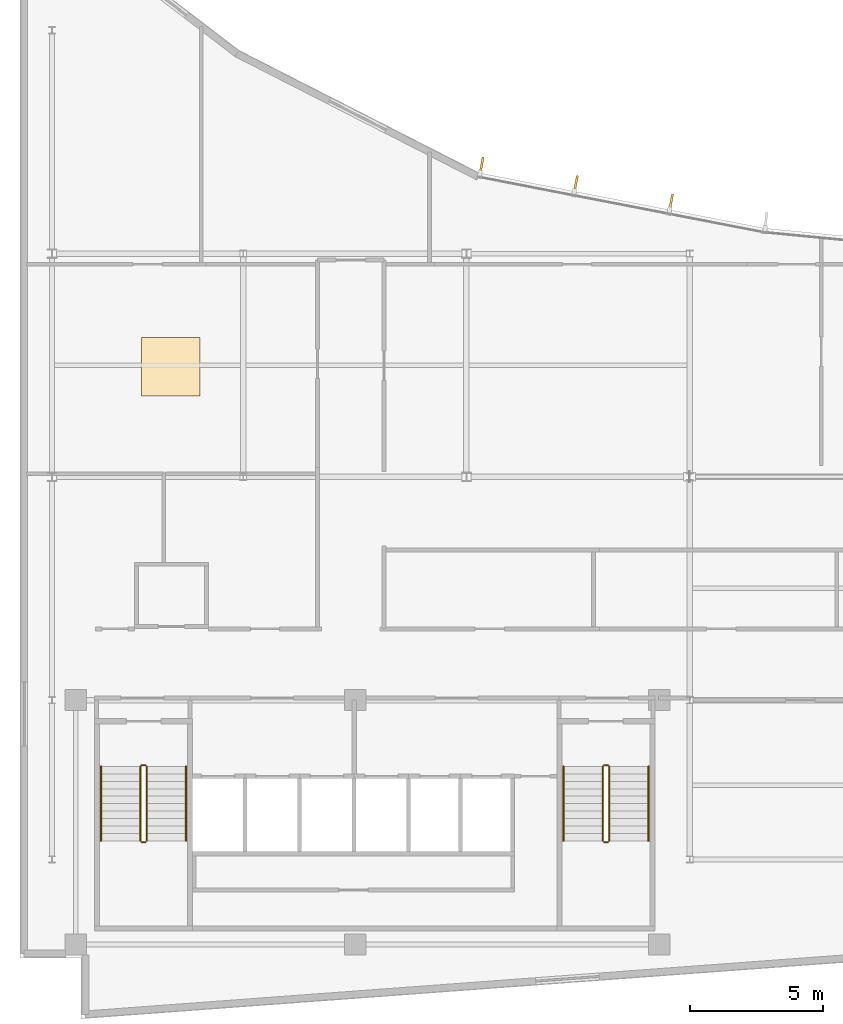
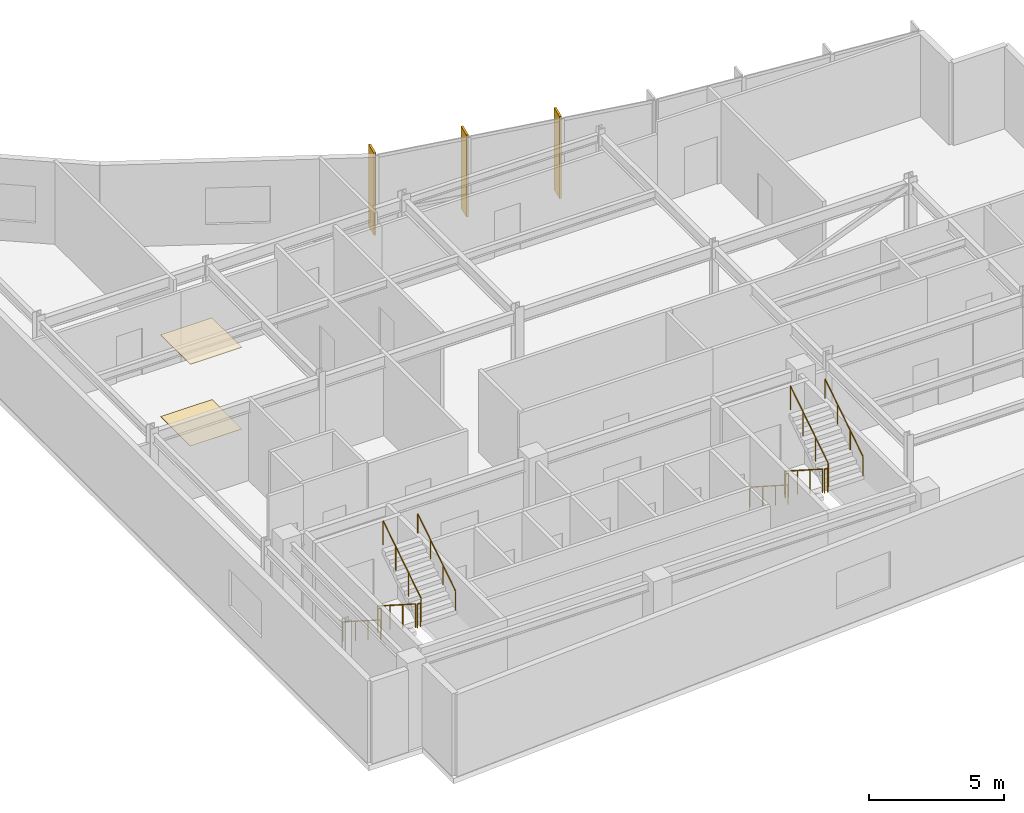
# One storey, part 14 of 16: 12 railings, 3 shading devices, 2 coverings.
"""IFC4 building model written with IfcOpenShell, lengths in metres."""

from ifc_helpers import new_model, si_unit, direction, frame, origin, origin_2d, place, context, subcontext, project, spatial, rectangle, circle, extrude, material, layer, layer_set, type_object, element, save


model = new_model("IFC4")

# Units and contexts
model_context = context("Model", 3, precision=1e-05, world=origin(), true_north=direction((0.0, 1.0)))
body_context = subcontext(model_context, "Body", "Model", "MODEL_VIEW")
ifc_project = project(units=[si_unit("LENGTHUNIT", "METRE"), si_unit("AREAUNIT", "SQUARE_METRE"), si_unit("VOLUMEUNIT", "CUBIC_METRE"), si_unit("PLANEANGLEUNIT", "RADIAN"), si_unit("MASSUNIT", "GRAM", prefix="KILO")], contexts=[model_context])

# Site, building, storey
site_placement = place(None, origin())
site = spatial("IfcSite", under=ifc_project, at=site_placement, CompositionType="ELEMENT")
building_placement = place(site_placement, origin())
building = spatial("IfcBuilding", under=site, at=building_placement, Name="Varnakote Quay Hospital", CompositionType="ELEMENT")
storey_placement = place(building_placement, frame((0.0, 0.0, 272.35009765625)))
storey = spatial("IfcBuildingStorey", under=building, at=storey_placement, Name="L67", CompositionType="ELEMENT", Elevation=272.35009765625)

# Coverings
ifc_material_1 = material(Name="Antimicrobial acoustic mineral ceiling tile", Category="gypsum")
ifc_layer_1 = layer(ifc_material_1, 0.02490234375)
ifc_layer_set_1 = layer_set([ifc_layer_1], Name="Antimicrobial acoustic mineral ceiling tile")
covering_type_1 = type_object("IfcCoveringType", Name="COV-CLIN-CEIL-25", PredefinedType="CEILING", material=ifc_layer_set_1)
covering_1_placement = place(storey_placement, frame((5.679931640625, 24.5400390625, 3.68505859375), z_axis=(0.0, 0.0, 1.0), x_axis=(1.0, 0.0, 0.0)))
element("IfcCovering", 1, at=covering_1_placement, inside=storey, type_object=covering_type_1, Name="L67 Antimicrobial Acoustic Ceiling Tile", PredefinedType="CEILING", context=body_context, shape_type="SweptSolid", body=[
    extrude(rectangle(XDim=2.199951171875, YDim=2.199951171875, at=origin_2d()), origin(), (0.0, 0.0, 1.0), 0.02490234375),
])
ifc_material_2 = material(Name="Seamless clinical sheet vinyl flooring")
ifc_layer_2 = layer(ifc_material_2, 0.011962890625)
ifc_layer_set_2 = layer_set([ifc_layer_2], Name="Seamless clinical sheet vinyl flooring")
covering_type_2 = type_object("IfcCoveringType", Name="COV-CLIN-VINYL-12", PredefinedType="FLOORING", material=ifc_layer_set_2)
covering_2_placement = place(storey_placement, frame((5.679931640625, 24.5400390625, 0.0), z_axis=(0.0, 0.0, 1.0), x_axis=(1.0, 0.0, 0.0)))
element("IfcCovering", 2, at=covering_2_placement, inside=storey, type_object=covering_type_2, Name="L67 Seamless Clinical Vinyl Flooring", PredefinedType="FLOORING", context=body_context, shape_type="SweptSolid", body=[
    extrude(rectangle(XDim=2.199951171875, YDim=2.199951171875, at=origin_2d()), origin(), (0.0, 0.0, 1.0), 0.011962890625),
])

# Railings
ifc_material_3 = material(Name="Brushed stainless steel balustrade", Category="steel")
railing_type_1 = type_object("IfcRailingType", Name="RLG-STAIR-GUARD-1150", PredefinedType="GUARDRAIL", material=ifc_material_3)
railing_1_placement = place(storey_placement, frame((4.530029296875, 9.5, 0.179443359375)))
element("IfcRailing", 3, at=railing_1_placement, inside=storey, type_object=railing_type_1, Name="L67 ST-01 stair guard 1", PredefinedType="GUARDRAIL", context=body_context, shape_type="SweptSolid", body=[
    extrude(circle(Radius=0.02392578125, at=origin_2d()), frame((0.0, 0.0, 1.076171875), z_axis=(0.0, -0.841809871826, 0.539774156196), x_axis=(1.0, 0.0, 0.0)), (0.0, 0.0, 1.0), 3.326171875),
    extrude(circle(Radius=0.02099609375, at=origin_2d()), origin(), (0.0, 0.0, 1.0), 1.052001953125),
    extrude(circle(Radius=0.02099609375, at=origin_2d()), frame((0.0, -0.933349609375, 0.598388671875)), (0.0, 0.0, 1.0), 1.052001953125),
    extrude(circle(Radius=0.02099609375, at=origin_2d()), frame((0.0, -1.86669921875, 1.197021484375)), (0.0, 0.0, 1.0), 1.052001953125),
    extrude(circle(Radius=0.02099609375, at=origin_2d()), frame((0.0, -2.800048828125, 1.79541015625)), (0.0, 0.0, 1.0), 1.052001953125),
])
railing_2_placement = place(storey_placement, frame((4.580078125, 6.64990234375, 1.974853515625)))
element("IfcRailing", 4, at=railing_2_placement, inside=storey, type_object=railing_type_1, Name="L67 ST-01 stair guard 2", PredefinedType="GUARDRAIL", context=body_context, shape_type="SweptSolid", body=[
    extrude(circle(Radius=0.02392578125, at=origin_2d()), frame((0.0, 0.0, 1.076171875), z_axis=(1.0, 0.0, 0.0), x_axis=(0.0, 1.0, 0.0)), (0.0, 0.0, 1.0), 0.139892578125),
    extrude(circle(Radius=0.02099609375, at=origin_2d()), origin(), (0.0, 0.0, 1.0), 1.052001953125),
    extrude(circle(Radius=0.02099609375, at=origin_2d()), frame((0.139892578125, 0.0, 0.0)), (0.0, 0.0, 1.0), 1.052001953125),
])
railing_3_placement = place(storey_placement, frame((4.77001953125, 6.699951171875, 2.154541015625)))
element("IfcRailing", 5, at=railing_3_placement, inside=storey, type_object=railing_type_1, Name="L67 ST-01 stair guard 3", PredefinedType="GUARDRAIL", context=body_context, shape_type="SweptSolid", body=[
    extrude(circle(Radius=0.02392578125, at=origin_2d()), frame((0.0, 0.0, 1.076171875), z_axis=(0.0, 0.841809871826, 0.539774156196), x_axis=(-1.0, 0.0, 0.0)), (0.0, 0.0, 1.0), 3.326171875),
    extrude(circle(Radius=0.02099609375, at=origin_2d()), origin(), (0.0, 0.0, 1.0), 1.052001953125),
    extrude(circle(Radius=0.02099609375, at=origin_2d()), frame((0.0, 0.933349609375, 0.598388671875)), (0.0, 0.0, 1.0), 1.052001953125),
    extrude(circle(Radius=0.02099609375, at=origin_2d()), frame((0.0, 1.86669921875, 1.197021484375)), (0.0, 0.0, 1.0), 1.052001953125),
    extrude(circle(Radius=0.02099609375, at=origin_2d()), frame((0.0, 2.800048828125, 1.79541015625)), (0.0, 0.0, 1.0), 1.052001953125),
])
railing_4_placement = place(storey_placement, frame((4.580078125, 9.550048828125, 0.0)))
element("IfcRailing", 6, at=railing_4_placement, inside=storey, type_object=railing_type_1, Name="L67 ST-01 stair guard 4", PredefinedType="GUARDRAIL", context=body_context, shape_type="SweptSolid", body=[
    extrude(circle(Radius=0.02392578125, at=origin_2d()), frame((0.0, 0.0, 1.076171875), z_axis=(1.0, 0.0, 0.0), x_axis=(0.0, 1.0, 0.0)), (0.0, 0.0, 1.0), 0.139892578125),
    extrude(circle(Radius=0.02099609375, at=origin_2d()), origin(), (0.0, 0.0, 1.0), 1.052001953125),
    extrude(circle(Radius=0.02099609375, at=origin_2d()), frame((0.139892578125, 0.0, 0.0)), (0.0, 0.0, 1.0), 1.052001953125),
])
railing_5_placement = place(storey_placement, frame((21.929931640625, 9.5, 0.179443359375)))
element("IfcRailing", 7, at=railing_5_placement, inside=storey, type_object=railing_type_1, Name="L67 ST-02 stair guard 1", PredefinedType="GUARDRAIL", context=body_context, shape_type="SweptSolid", body=[
    extrude(circle(Radius=0.02392578125, at=origin_2d()), frame((0.0, 0.0, 1.076171875), z_axis=(0.0, -0.841809871826, 0.539774156196), x_axis=(1.0, 0.0, 0.0)), (0.0, 0.0, 1.0), 3.326171875),
    extrude(circle(Radius=0.02099609375, at=origin_2d()), origin(), (0.0, 0.0, 1.0), 1.052001953125),
    extrude(circle(Radius=0.02099609375, at=origin_2d()), frame((0.0, -0.933349609375, 0.598388671875)), (0.0, 0.0, 1.0), 1.052001953125),
    extrude(circle(Radius=0.02099609375, at=origin_2d()), frame((0.0, -1.86669921875, 1.197021484375)), (0.0, 0.0, 1.0), 1.052001953125),
    extrude(circle(Radius=0.02099609375, at=origin_2d()), frame((0.0, -2.800048828125, 1.79541015625)), (0.0, 0.0, 1.0), 1.052001953125),
])
railing_6_placement = place(storey_placement, frame((21.97998046875, 6.64990234375, 1.974853515625)))
element("IfcRailing", 8, at=railing_6_placement, inside=storey, type_object=railing_type_1, Name="L67 ST-02 stair guard 2", PredefinedType="GUARDRAIL", context=body_context, shape_type="SweptSolid", body=[
    extrude(circle(Radius=0.02392578125, at=origin_2d()), frame((0.0, 0.0, 1.076171875), z_axis=(1.0, 0.0, 0.0), x_axis=(0.0, 1.0, 0.0)), (0.0, 0.0, 1.0), 0.14013671875),
    extrude(circle(Radius=0.02099609375, at=origin_2d()), origin(), (0.0, 0.0, 1.0), 1.052001953125),
    extrude(circle(Radius=0.02099609375, at=origin_2d()), frame((0.14013671875, 0.0, 0.0)), (0.0, 0.0, 1.0), 1.052001953125),
])
railing_7_placement = place(storey_placement, frame((22.169921875, 6.699951171875, 2.154541015625)))
element("IfcRailing", 9, at=railing_7_placement, inside=storey, type_object=railing_type_1, Name="L67 ST-02 stair guard 3", PredefinedType="GUARDRAIL", context=body_context, shape_type="SweptSolid", body=[
    extrude(circle(Radius=0.02392578125, at=origin_2d()), frame((0.0, 0.0, 1.076171875), z_axis=(0.0, 0.841809871826, 0.539774156196), x_axis=(-1.0, 0.0, 0.0)), (0.0, 0.0, 1.0), 3.326171875),
    extrude(circle(Radius=0.02099609375, at=origin_2d()), origin(), (0.0, 0.0, 1.0), 1.052001953125),
    extrude(circle(Radius=0.02099609375, at=origin_2d()), frame((0.0, 0.933349609375, 0.598388671875)), (0.0, 0.0, 1.0), 1.052001953125),
    extrude(circle(Radius=0.02099609375, at=origin_2d()), frame((0.0, 1.86669921875, 1.197021484375)), (0.0, 0.0, 1.0), 1.052001953125),
    extrude(circle(Radius=0.02099609375, at=origin_2d()), frame((0.0, 2.800048828125, 1.79541015625)), (0.0, 0.0, 1.0), 1.052001953125),
])
railing_8_placement = place(storey_placement, frame((21.97998046875, 9.550048828125, 0.0)))
element("IfcRailing", 10, at=railing_8_placement, inside=storey, type_object=railing_type_1, Name="L67 ST-02 stair guard 4", PredefinedType="GUARDRAIL", context=body_context, shape_type="SweptSolid", body=[
    extrude(circle(Radius=0.02392578125, at=origin_2d()), frame((0.0, 0.0, 1.076171875), z_axis=(1.0, 0.0, 0.0), x_axis=(0.0, 1.0, 0.0)), (0.0, 0.0, 1.0), 0.14013671875),
    extrude(circle(Radius=0.02099609375, at=origin_2d()), origin(), (0.0, 0.0, 1.0), 1.052001953125),
    extrude(circle(Radius=0.02099609375, at=origin_2d()), frame((0.14013671875, 0.0, 0.0)), (0.0, 0.0, 1.0), 1.052001953125),
])
ifc_material_4 = material(Name="Brushed stainless steel handrail", Category="steel")
railing_type_2 = type_object("IfcRailingType", Name="RLG-STAIR-HND-920", PredefinedType="HANDRAIL", material=ifc_material_4)
railing_9_placement = place(storey_placement, frame((3.050048828125, 9.5, 0.179443359375)))
element("IfcRailing", 11, at=railing_9_placement, inside=storey, type_object=railing_type_2, Name="L67 ST-01 stair handrail 1", PredefinedType="HANDRAIL", context=body_context, shape_type="SweptSolid", body=[
    extrude(circle(Radius=0.02392578125, at=origin_2d()), frame((0.0, 0.0, 0.8759765625), z_axis=(0.0, -0.841809871826, 0.539774156196), x_axis=(1.0, 0.0, 0.0)), (0.0, 0.0, 1.0), 3.326171875),
    extrude(circle(Radius=0.02099609375, at=origin_2d()), origin(), (0.0, 0.0, 1.0), 0.851806640625),
    extrude(circle(Radius=0.02099609375, at=origin_2d()), frame((0.0, -0.933349609375, 0.598388671875)), (0.0, 0.0, 1.0), 0.851806640625),
    extrude(circle(Radius=0.02099609375, at=origin_2d()), frame((0.0, -1.86669921875, 1.197021484375)), (0.0, 0.0, 1.0), 0.851806640625),
    extrude(circle(Radius=0.02099609375, at=origin_2d()), frame((0.0, -2.800048828125, 1.79541015625)), (0.0, 0.0, 1.0), 0.851806640625),
])
railing_10_placement = place(storey_placement, frame((6.25, 6.699951171875, 2.154541015625)))
element("IfcRailing", 12, at=railing_10_placement, inside=storey, type_object=railing_type_2, Name="L67 ST-01 stair handrail 2", PredefinedType="HANDRAIL", context=body_context, shape_type="SweptSolid", body=[
    extrude(circle(Radius=0.02392578125, at=origin_2d()), frame((0.0, 0.0, 0.8759765625), z_axis=(0.0, 0.841809871826, 0.539774156196), x_axis=(-1.0, 0.0, 0.0)), (0.0, 0.0, 1.0), 3.326171875),
    extrude(circle(Radius=0.02099609375, at=origin_2d()), origin(), (0.0, 0.0, 1.0), 0.851806640625),
    extrude(circle(Radius=0.02099609375, at=origin_2d()), frame((0.0, 0.933349609375, 0.598388671875)), (0.0, 0.0, 1.0), 0.851806640625),
    extrude(circle(Radius=0.02099609375, at=origin_2d()), frame((0.0, 1.86669921875, 1.197021484375)), (0.0, 0.0, 1.0), 0.851806640625),
    extrude(circle(Radius=0.02099609375, at=origin_2d()), frame((0.0, 2.800048828125, 1.79541015625)), (0.0, 0.0, 1.0), 0.851806640625),
])
railing_11_placement = place(storey_placement, frame((20.449951171875, 9.5, 0.179443359375)))
element("IfcRailing", 13, at=railing_11_placement, inside=storey, type_object=railing_type_2, Name="L67 ST-02 stair handrail 1", PredefinedType="HANDRAIL", context=body_context, shape_type="SweptSolid", body=[
    extrude(circle(Radius=0.02392578125, at=origin_2d()), frame((0.0, 0.0, 0.8759765625), z_axis=(0.0, -0.841809871826, 0.539774156196), x_axis=(1.0, 0.0, 0.0)), (0.0, 0.0, 1.0), 3.326171875),
    extrude(circle(Radius=0.02099609375, at=origin_2d()), origin(), (0.0, 0.0, 1.0), 0.851806640625),
    extrude(circle(Radius=0.02099609375, at=origin_2d()), frame((0.0, -0.933349609375, 0.598388671875)), (0.0, 0.0, 1.0), 0.851806640625),
    extrude(circle(Radius=0.02099609375, at=origin_2d()), frame((0.0, -1.86669921875, 1.197021484375)), (0.0, 0.0, 1.0), 0.851806640625),
    extrude(circle(Radius=0.02099609375, at=origin_2d()), frame((0.0, -2.800048828125, 1.79541015625)), (0.0, 0.0, 1.0), 0.851806640625),
])
railing_12_placement = place(storey_placement, frame((23.64990234375, 6.699951171875, 2.154541015625)))
element("IfcRailing", 14, at=railing_12_placement, inside=storey, type_object=railing_type_2, Name="L67 ST-02 stair handrail 2", PredefinedType="HANDRAIL", context=body_context, shape_type="SweptSolid", body=[
    extrude(circle(Radius=0.02392578125, at=origin_2d()), frame((0.0, 0.0, 0.8759765625), z_axis=(0.0, 0.841809871826, 0.539774156196), x_axis=(-1.0, 0.0, 0.0)), (0.0, 0.0, 1.0), 3.326171875),
    extrude(circle(Radius=0.02099609375, at=origin_2d()), origin(), (0.0, 0.0, 1.0), 0.851806640625),
    extrude(circle(Radius=0.02099609375, at=origin_2d()), frame((0.0, 0.933349609375, 0.598388671875)), (0.0, 0.0, 1.0), 0.851806640625),
    extrude(circle(Radius=0.02099609375, at=origin_2d()), frame((0.0, 1.86669921875, 1.197021484375)), (0.0, 0.0, 1.0), 0.851806640625),
    extrude(circle(Radius=0.02099609375, at=origin_2d()), frame((0.0, 2.800048828125, 1.79541015625)), (0.0, 0.0, 1.0), 0.851806640625),
])

# Shading devices
ifc_material_5 = material(Name="Anodised aluminium 6063-T6 Bronze", Category="aluminium")
ifc_layer_3 = layer(ifc_material_5, 0.0849609375)
ifc_layer_set_3 = layer_set([ifc_layer_3], Name="Anodised aluminium 6063-T6 Bronze")
shading_device_type = type_object("IfcShadingDeviceType", Name="SHD-BRONZE-FIN-620", PredefinedType="USERDEFINED", material=ifc_layer_set_3)
for number, where, z_axis, x_axis, name in (
    (15, (24.498291015625, 30.73388671875, 0.0), (0.0, 0.0, 1.0), (-0.190466331231, -0.981693728546, 0.0), "L67 Anodised Bronze Vertical Shading FIN"),
    (16, (20.91748046875, 31.428466796875, 0.0), (0.0, 0.0, 1.0), (-0.190466331231, -0.981693728546, 0.0), "L67 Anodised Bronze Vertical Shading FIN"),
    (17, (17.368896484375, 32.11669921875, 0.0), (0.0, 0.0, 1.0), (-0.190466331231, -0.981693728546, 0.0), "L67 Anodised Bronze Vertical Shading FIN"),
):
    element("IfcShadingDevice", number, at=place(storey_placement, frame(where, z_axis=z_axis, x_axis=x_axis)), inside=storey, type_object=shading_device_type, Name=name, ObjectType="FIN", PredefinedType="USERDEFINED", context=body_context, shape_type="SweptSolid", body=[
        extrude(rectangle(XDim=0.6201171875, YDim=0.0849609375, at=origin_2d()), origin(), (0.0, 0.0, 1.0), 3.7099609375),
    ])

save(model, "model.ifc")
